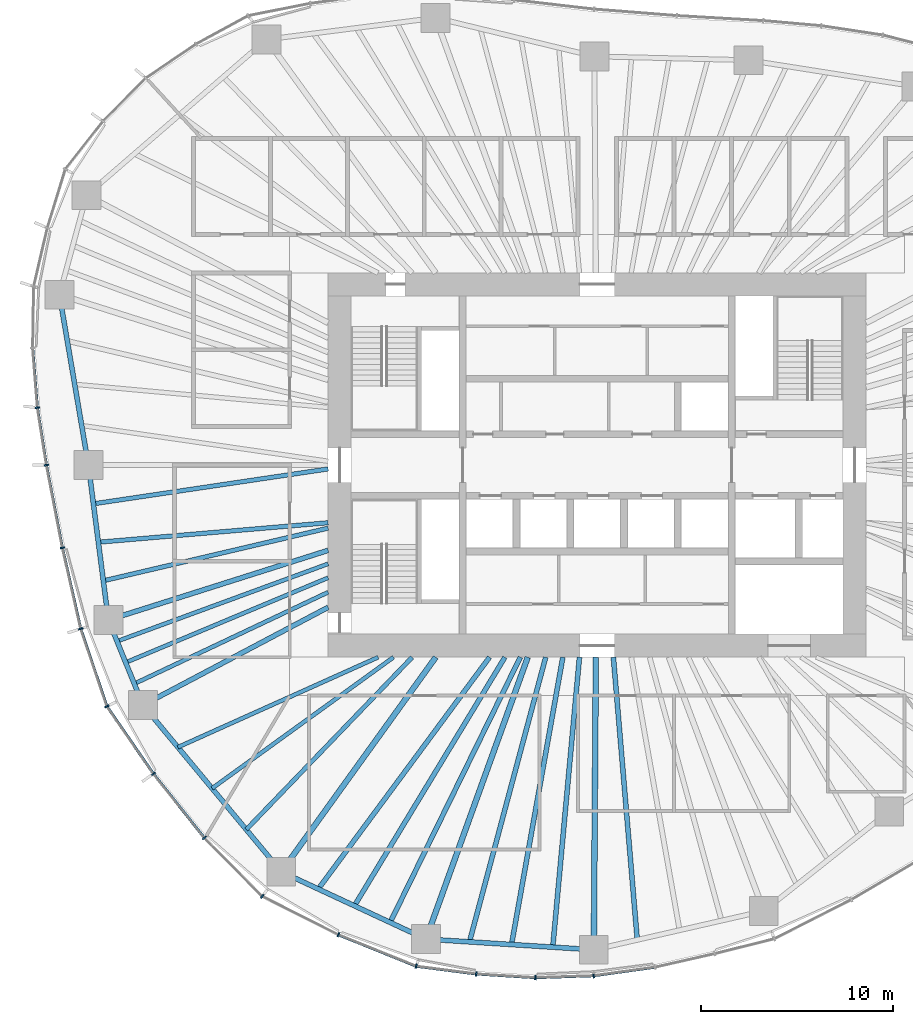
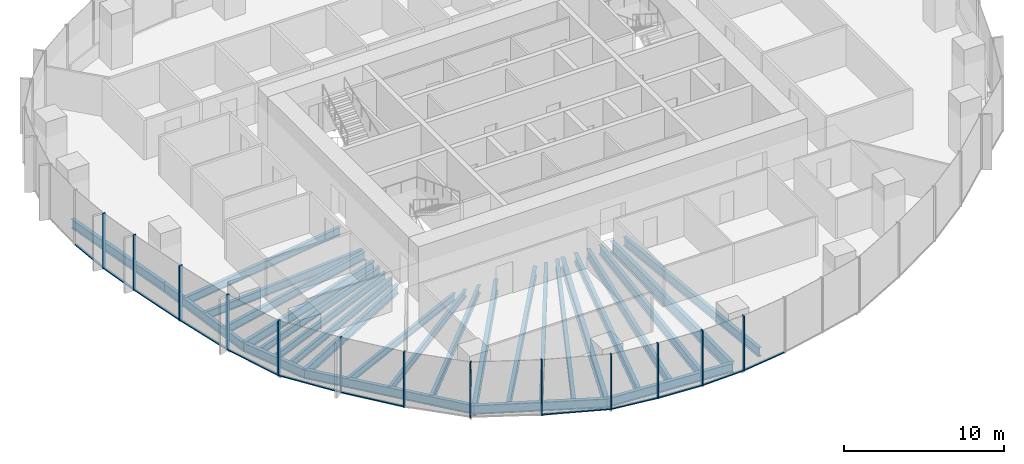
# One storey, part 2 of 18: 27 beams, 25 members, 7 elements without a shape of their own.
"""IFC4 building model written with IfcOpenShell, lengths in metres."""

from ifc_helpers import new_model, si_unit, direction, frame, origin, origin_2d, place, context, subcontext, project, spatial, rectangle, i_section, extrude, material, material_profile, profile_set, type_object, element, aggregate, save


model = new_model("IFC4")

# Units and contexts
model_context = context("Model", 3, precision=1e-05, world=origin(), true_north=direction((0.0, 1.0)))
body_context = subcontext(model_context, "Body", "Model", "MODEL_VIEW")
ifc_project = project(units=[si_unit("LENGTHUNIT", "METRE"), si_unit("AREAUNIT", "SQUARE_METRE"), si_unit("VOLUMEUNIT", "CUBIC_METRE"), si_unit("PLANEANGLEUNIT", "RADIAN"), si_unit("MASSUNIT", "GRAM", prefix="KILO")], contexts=[model_context])

# Site, building, storey
site_placement = place(None, origin())
site = spatial("IfcSite", under=ifc_project, at=site_placement, CompositionType="ELEMENT")
building_placement = place(site_placement, origin())
building = spatial("IfcBuilding", under=site, at=building_placement, Name="Ghaith Harvest Tower", CompositionType="ELEMENT")
storey_placement = place(building_placement, frame((0.0, 0.0, 138.60009765625)))
storey = spatial("IfcBuildingStorey", under=building, at=storey_placement, Name="L29", CompositionType="ELEMENT", Elevation=138.60009765625)

# Curtain wall, member
ifc_material_1 = material(Name="Black anodised aluminium and fritted glass", Category="aluminium")
curtain_wall_type = type_object("IfcCurtainWallType", Name="CW-L CURTAIN WALL", PredefinedType="NOTDEFINED", material=ifc_material_1)
curtain_wall_1_placement = place(storey_placement, origin())
curtain_wall_1 = element("IfcCurtainWall", 1, at=curtain_wall_1_placement, inside=storey, type_object=curtain_wall_type, Name="Curtain wall CW-L bay 10 L29", PredefinedType="NOTDEFINED")
ifc_material_2 = material(Name="Aluminium, black anodised", Category="aluminium")
ifc_material_profile_1 = material_profile(ifc_material_2, rectangle(XDim=0.080078125, YDim=0.239990234375, at=origin_2d()), Name="CW-L MULLION 80x240")
ifc_profile_set_1 = profile_set([ifc_material_profile_1], Name="Aluminium, black anodised")
member_type_1 = type_object("IfcMemberType", Name="CW-L MULLION 80x240", PredefinedType="MULLION", material=ifc_profile_set_1)
member_1_placement = place(storey_placement, frame((-29.131103515625, 2.990478515625, 0.0), z_axis=(0.0, 0.0, 1.0), x_axis=(0.116763791346, -0.993159713757, 0.0)))
member_1 = element("IfcMember", 2, at=member_1_placement, type_object=member_type_1, Name="CW-L mullion 3 bay 10 L29", PredefinedType="MULLION", context=body_context, shape_type="SweptSolid", body=[
    extrude(rectangle(XDim=0.080078125, YDim=0.239990234375, at=origin_2d()), origin(), (0.0, 0.0, 1.0), 4.199951171875),
])

# Curtain wall, members
curtain_wall_2_placement = place(storey_placement, origin())
curtain_wall_2 = element("IfcCurtainWall", 3, at=curtain_wall_2_placement, inside=storey, type_object=curtain_wall_type, Name="Curtain wall CW-L bay 11 L29", PredefinedType="NOTDEFINED")
member_2_placement = place(storey_placement, frame((-28.6611328125, 0.0, 0.0), z_axis=(0.0, 0.0, 1.0), x_axis=(0.175827209372, -0.984421044292, 0.0)))
member_2 = element("IfcMember", 4, at=member_2_placement, type_object=member_type_1, Name="CW-L mullion 1 bay 11 L29", PredefinedType="MULLION", context=body_context, shape_type="SweptSolid", body=[
    extrude(rectangle(XDim=0.080078125, YDim=0.239990234375, at=origin_2d()), origin(), (0.0, 0.0, 1.0), 4.199951171875),
])
member_3_placement = place(storey_placement, frame((-27.828125, -4.30419921875, 0.0), z_axis=(0.0, 0.0, 1.0), x_axis=(0.205176300018, -0.978725030798, 0.0)))
member_3 = element("IfcMember", 5, at=member_3_placement, type_object=member_type_1, Name="CW-L mullion 2 bay 11 L29", PredefinedType="MULLION", context=body_context, shape_type="SweptSolid", body=[
    extrude(rectangle(XDim=0.080078125, YDim=0.239990234375, at=origin_2d()), origin(), (0.0, 0.0, 1.0), 4.199951171875),
])

curtain_wall_3_placement = place(storey_placement, origin())
curtain_wall_3 = element("IfcCurtainWall", 6, at=curtain_wall_3_placement, inside=storey, type_object=curtain_wall_type, Name="Curtain wall CW-L bay 12 L29", PredefinedType="NOTDEFINED")
member_4_placement = place(storey_placement, frame((-26.875732421875, -8.517333984375, 0.0), z_axis=(0.0, 0.0, 1.0), x_axis=(0.270018818005, -0.962855045125, 0.0)))
member_4 = element("IfcMember", 7, at=member_4_placement, type_object=member_type_1, Name="CW-L mullion 1 bay 12 L29", PredefinedType="MULLION", context=body_context, shape_type="SweptSolid", body=[
    extrude(rectangle(XDim=0.080078125, YDim=0.239990234375, at=origin_2d()), origin(), (0.0, 0.0, 1.0), 4.199951171875),
])
member_5_placement = place(storey_placement, frame((-25.513427734375, -12.55810546875, 0.0), z_axis=(0.0, 0.0, 1.0), x_axis=(0.448267068681, -0.893899678452, 0.0)))
member_5 = element("IfcMember", 8, at=member_5_placement, type_object=member_type_1, Name="CW-L mullion 2 bay 12 L29", PredefinedType="MULLION", context=body_context, shape_type="SweptSolid", body=[
    extrude(rectangle(XDim=0.080078125, YDim=0.239990234375, at=origin_2d()), origin(), (0.0, 0.0, 1.0), 4.199951171875),
])

curtain_wall_4_placement = place(storey_placement, origin())
curtain_wall_4 = element("IfcCurtainWall", 9, at=curtain_wall_4_placement, inside=storey, type_object=curtain_wall_type, Name="Curtain wall CW-L bay 13 L29", PredefinedType="NOTDEFINED")
member_6_placement = place(storey_placement, frame((-23.090087890625, -16.066162109375, 0.0), z_axis=(0.0, 0.0, 1.0), x_axis=(0.595740202191, -0.803177198066, 0.0)))
member_6 = element("IfcMember", 10, at=member_6_placement, type_object=member_type_1, Name="CW-L mullion 1 bay 13 L29", PredefinedType="MULLION", context=body_context, shape_type="SweptSolid", body=[
    extrude(rectangle(XDim=0.080078125, YDim=0.239990234375, at=origin_2d()), origin(), (0.0, 0.0, 1.0), 4.199951171875),
])
member_7_placement = place(storey_placement, frame((-20.441162109375, -19.396728515625, 0.0), z_axis=(0.0, 0.0, 1.0), x_axis=(0.663764675537, -0.747941478666, 0.0)))
member_7 = element("IfcMember", 11, at=member_7_placement, type_object=member_type_1, Name="CW-L mullion 2 bay 13 L29", PredefinedType="MULLION", context=body_context, shape_type="SweptSolid", body=[
    extrude(rectangle(XDim=0.080078125, YDim=0.239990234375, at=origin_2d()), origin(), (0.0, 0.0, 1.0), 4.199951171875),
])

curtain_wall_5_placement = place(storey_placement, origin())
curtain_wall_5 = element("IfcCurtainWall", 12, at=curtain_wall_5_placement, inside=storey, type_object=curtain_wall_type, Name="Curtain wall CW-L bay 14 L29", PredefinedType="NOTDEFINED")
member_8_placement = place(storey_placement, frame((-17.430419921875, -22.443603515625, 0.0), z_axis=(0.0, 0.0, 1.0), x_axis=(0.810339399222, -0.585960799089, 0.0)))
member_8 = element("IfcMember", 13, at=member_8_placement, type_object=member_type_1, Name="CW-L mullion 1 bay 14 L29", PredefinedType="MULLION", context=body_context, shape_type="SweptSolid", body=[
    extrude(rectangle(XDim=0.080078125, YDim=0.239990234375, at=origin_2d()), origin(), (0.0, 0.0, 1.0), 4.199951171875),
])
member_9_placement = place(storey_placement, frame((-13.463134765625, -24.4423828125, 0.0), z_axis=(0.0, 0.0, 1.0), x_axis=(0.910648017946, -0.413182995066, 0.0)))
member_9 = element("IfcMember", 14, at=member_9_placement, type_object=member_type_1, Name="CW-L mullion 2 bay 14 L29", PredefinedType="MULLION", context=body_context, shape_type="SweptSolid", body=[
    extrude(rectangle(XDim=0.080078125, YDim=0.239990234375, at=origin_2d()), origin(), (0.0, 0.0, 1.0), 4.199951171875),
])

curtain_wall_6_placement = place(storey_placement, origin())
curtain_wall_6 = element("IfcCurtainWall", 15, at=curtain_wall_6_placement, inside=storey, type_object=curtain_wall_type, Name="Curtain wall CW-L bay 15 L29", PredefinedType="NOTDEFINED")
member_10_placement = place(storey_placement, frame((-9.4189453125, -26.07861328125, 0.0), z_axis=(0.0, 0.0, 1.0), x_axis=(0.961788606004, -0.273793128768, 0.0)))
member_10 = element("IfcMember", 16, at=member_10_placement, type_object=member_type_1, Name="CW-L mullion 1 bay 15 L29", PredefinedType="MULLION", context=body_context, shape_type="SweptSolid", body=[
    extrude(rectangle(XDim=0.080078125, YDim=0.239990234375, at=origin_2d()), origin(), (0.0, 0.0, 1.0), 4.199951171875),
])
member_11_placement = place(storey_placement, frame((-6.29443359375, -26.483154296875, 0.0), z_axis=(0.0, 0.0, 1.0), x_axis=(0.995389243171, -0.095917957546, 0.0)))
member_11 = element("IfcMember", 17, at=member_11_placement, type_object=member_type_1, Name="CW-L mullion 2 bay 15 L29", PredefinedType="MULLION", context=body_context, shape_type="SweptSolid", body=[
    extrude(rectangle(XDim=0.080078125, YDim=0.239990234375, at=origin_2d()), origin(), (0.0, 0.0, 1.0), 4.199951171875),
])
member_12_placement = place(storey_placement, frame((-3.21923828125, -26.676025390625, 0.0), z_axis=(0.0, 0.0, 1.0), x_axis=(0.999890531495, -0.014796115241, 0.0)))
member_12 = element("IfcMember", 18, at=member_12_placement, type_object=member_type_1, Name="CW-L mullion 3 bay 15 L29", PredefinedType="MULLION", context=body_context, shape_type="SweptSolid", body=[
    extrude(rectangle(XDim=0.080078125, YDim=0.239990234375, at=origin_2d()), origin(), (0.0, 0.0, 1.0), 4.199951171875),
])

# Curtain wall, member
curtain_wall_7_placement = place(storey_placement, origin())
curtain_wall_7 = element("IfcCurtainWall", 19, at=curtain_wall_7_placement, inside=storey, type_object=curtain_wall_type, Name="Curtain wall CW-L bay 16 L29", PredefinedType="NOTDEFINED")
member_13_placement = place(storey_placement, frame((-0.181884765625, -26.57373046875, 0.0), z_axis=(0.0, 0.0, 1.0), x_axis=(0.996169227662, 0.087446382772, 0.0)))
member_13 = element("IfcMember", 20, at=member_13_placement, type_object=member_type_1, Name="CW-L mullion 1 bay 16 L29", PredefinedType="MULLION", context=body_context, shape_type="SweptSolid", body=[
    extrude(rectangle(XDim=0.080078125, YDim=0.239990234375, at=origin_2d()), origin(), (0.0, 0.0, 1.0), 4.199951171875),
])

# Member
ifc_material_3 = material(Name="Aluminium, black anodised", Category="aluminium")
ifc_material_profile_2 = material_profile(ifc_material_3, rectangle(XDim=0.14990234375, YDim=0.080078125, at=origin_2d()), Name="CW-L TRANSOM 150x80")
ifc_profile_set_2 = profile_set([ifc_material_profile_2], Name="Aluminium, black anodised")
member_type_2 = type_object("IfcMemberType", Name="CW-L TRANSOM 150x80", PredefinedType="USERDEFINED", material=ifc_profile_set_2)
member_14_placement = place(storey_placement, frame((-29.374755859375, 6.05615234375, 0.039794921875), z_axis=(0.079230491279, -0.996856323274, 0.0), x_axis=(0.996856323274, 0.079230491279, 0.0)))
member_14 = element("IfcMember", 21, at=member_14_placement, type_object=member_type_2, Name="CW-L transom 2 bay 10 L29", ObjectType="TRANSOM", PredefinedType="USERDEFINED", context=body_context, shape_type="SweptSolid", body=[
    extrude(rectangle(XDim=0.14990234375, YDim=0.080078125, at=origin_2d()), origin(), (0.0, 0.0, 1.0), 3.03515625),
])

member_15_placement = place(storey_placement, frame((-29.124755859375, 2.951171875, 0.039794921875), z_axis=(0.155150065502, -0.987890913601, 0.0), x_axis=(0.987890913601, 0.155150065502, 0.0)))
member_15 = element("IfcMember", 22, at=member_15_placement, type_object=member_type_2, Name="CW-L transom 3 bay 10 L29", ObjectType="TRANSOM", PredefinedType="USERDEFINED", context=body_context, shape_type="SweptSolid", body=[
    extrude(rectangle(XDim=0.14990234375, YDim=0.080078125, at=origin_2d()), origin(), (0.0, 0.0, 1.0), 2.947265625),
])

aggregate(curtain_wall_1, [member_14, member_1, member_15])

member_16_placement = place(storey_placement, frame((-28.653564453125, -0.039306640625, 0.039794921875), z_axis=(0.190025434036, -0.981779167848, 0.0), x_axis=(0.981779167848, 0.190025434036, 0.0)))
member_16 = element("IfcMember", 23, at=member_16_placement, type_object=member_type_2, Name="CW-L transom 1 bay 11 L29", ObjectType="TRANSOM", PredefinedType="USERDEFINED", context=body_context, shape_type="SweptSolid", body=[
    extrude(rectangle(XDim=0.14990234375, YDim=0.080078125, at=origin_2d()), origin(), (0.0, 0.0, 1.0), 4.303955078125),
])

member_17_placement = place(storey_placement, frame((-27.8193359375, -4.34326171875, 0.039794921875), z_axis=(0.220508326041, -0.975385092231, 0.0), x_axis=(0.975385092231, 0.220508326041, 0.0)))
member_17 = element("IfcMember", 24, at=member_17_placement, type_object=member_type_2, Name="CW-L transom 2 bay 11 L29", ObjectType="TRANSOM", PredefinedType="USERDEFINED", context=body_context, shape_type="SweptSolid", body=[
    extrude(rectangle(XDim=0.14990234375, YDim=0.080078125, at=origin_2d()), origin(), (0.0, 0.0, 1.0), 4.2392578125),
])

aggregate(curtain_wall_2, [member_2, member_16, member_3, member_17])

member_18_placement = place(storey_placement, frame((-26.863037109375, -8.55517578125, 0.039794921875), z_axis=(0.319499057133, -0.947586593664, 0.0), x_axis=(0.947586593664, 0.319499057133, 0.0)))
member_18 = element("IfcMember", 25, at=member_18_placement, type_object=member_type_2, Name="CW-L transom 1 bay 12 L29", ObjectType="TRANSOM", PredefinedType="USERDEFINED", context=body_context, shape_type="SweptSolid", body=[
    extrude(rectangle(XDim=0.14990234375, YDim=0.080078125, at=origin_2d()), origin(), (0.0, 0.0, 1.0), 4.184326171875),
])

member_19_placement = place(storey_placement, frame((-25.49072265625, -12.591064453125, 0.039794921875), z_axis=(0.568360052499, -0.822779952796, 0.0), x_axis=(0.822779952796, 0.568360052499, 0.0)))
member_19 = element("IfcMember", 26, at=member_19_placement, type_object=member_type_2, Name="CW-L transom 2 bay 12 L29", ObjectType="TRANSOM", PredefinedType="USERDEFINED", context=body_context, shape_type="SweptSolid", body=[
    extrude(rectangle(XDim=0.14990234375, YDim=0.080078125, at=origin_2d()), origin(), (0.0, 0.0, 1.0), 4.183837890625),
])

aggregate(curtain_wall_3, [member_4, member_18, member_5, member_19])

member_20_placement = place(storey_placement, frame((-23.065185546875, -16.09765625, 0.039794921875), z_axis=(0.622510542814, -0.782611413209, 0.0), x_axis=(0.782611413209, 0.622510542814, 0.0)))
member_20 = element("IfcMember", 27, at=member_20_placement, type_object=member_type_2, Name="CW-L transom 1 bay 13 L29", ObjectType="TRANSOM", PredefinedType="USERDEFINED", context=body_context, shape_type="SweptSolid", body=[
    extrude(rectangle(XDim=0.14990234375, YDim=0.080078125, at=origin_2d()), origin(), (0.0, 0.0, 1.0), 4.17529296875),
])

aggregate(curtain_wall_4, [member_6, member_20, member_7])

member_21_placement = place(storey_placement, frame((-13.426025390625, -24.45751953125, 0.039794921875), z_axis=(0.92700297754, -0.375053968959, 0.0), x_axis=(0.375053968959, 0.92700297754, 0.0)))
member_21 = element("IfcMember", 28, at=member_21_placement, type_object=member_type_2, Name="CW-L transom 2 bay 14 L29", ObjectType="TRANSOM", PredefinedType="USERDEFINED", context=body_context, shape_type="SweptSolid", body=[
    extrude(rectangle(XDim=0.14990234375, YDim=0.080078125, at=origin_2d()), origin(), (0.0, 0.0, 1.0), 4.282470703125),
])

aggregate(curtain_wall_5, [member_8, member_9, member_21])

member_22_placement = place(storey_placement, frame((-9.37939453125, -26.083740234375, 0.039794921875), z_axis=(0.991722765635, -0.128397648429, 0.0), x_axis=(0.128397648429, 0.991722765635, 0.0)))
member_22 = element("IfcMember", 29, at=member_22_placement, type_object=member_type_2, Name="CW-L transom 1 bay 15 L29", ObjectType="TRANSOM", PredefinedType="USERDEFINED", context=body_context, shape_type="SweptSolid", body=[
    extrude(rectangle(XDim=0.14990234375, YDim=0.080078125, at=origin_2d()), origin(), (0.0, 0.0, 1.0), 3.07080078125),
])

member_23_placement = place(storey_placement, frame((-6.25439453125, -26.485595703125, 0.039794921875), z_axis=(0.998036402434, -0.062636566132, 0.0), x_axis=(0.062636566132, 0.998036402434, 0.0)))
member_23 = element("IfcMember", 30, at=member_23_placement, type_object=member_type_2, Name="CW-L transom 2 bay 15 L29", ObjectType="TRANSOM", PredefinedType="USERDEFINED", context=body_context, shape_type="SweptSolid", body=[
    extrude(rectangle(XDim=0.14990234375, YDim=0.080078125, at=origin_2d()), origin(), (0.0, 0.0, 1.0), 3.001220703125),
])

member_24_placement = place(storey_placement, frame((-3.17919921875, -26.6748046875, 0.039794921875), z_axis=(0.999430436664, 0.033746144522, 0.0), x_axis=(-0.033746144522, 0.999430436664, 0.0)))
member_24 = element("IfcMember", 31, at=member_24_placement, type_object=member_type_2, Name="CW-L transom 3 bay 15 L29", ObjectType="TRANSOM", PredefinedType="USERDEFINED", context=body_context, shape_type="SweptSolid", body=[
    extrude(rectangle(XDim=0.14990234375, YDim=0.080078125, at=origin_2d()), origin(), (0.0, 0.0, 1.0), 2.958984375),
])

aggregate(curtain_wall_6, [member_10, member_22, member_11, member_23, member_12, member_24])

member_25_placement = place(storey_placement, frame((-0.142333984375, -26.568115234375, 0.039794921875), z_axis=(0.990446640965, 0.137896524254, 0.0), x_axis=(-0.137896524254, 0.990446640965, 0.0)))
member_25 = element("IfcMember", 32, at=member_25_placement, type_object=member_type_2, Name="CW-L transom 1 bay 16 L29", ObjectType="TRANSOM", PredefinedType="USERDEFINED", context=body_context, shape_type="SweptSolid", body=[
    extrude(rectangle(XDim=0.14990234375, YDim=0.080078125, at=origin_2d()), origin(), (0.0, 0.0, 1.0), 3.142578125),
])

aggregate(curtain_wall_7, [member_13, member_25])

# Beams
ifc_material_4 = material(Name="Steel ASTM A992 Grade 50", Category="steel")
ifc_material_profile_3 = material_profile(ifc_material_4, i_section(OverallWidth=0.25390625, OverallDepth=0.68408203125, WebThickness=0.012451171875, FlangeThickness=0.018798828125, at=origin_2d()), Name="W690X140")
ifc_profile_set_3 = profile_set([ifc_material_profile_3], Name="Steel ASTM A992 Grade 50")
beam_type_1 = type_object("IfcBeamType", Name="E690-140 W690X140", PredefinedType="SPANDREL", material=ifc_profile_set_3)
beam_1_placement = place(storey_placement, frame((-27.98291015625, 8.867919921875, -0.51220703125), z_axis=(0.167624246844, -0.985850958244, 0.0), x_axis=(0.985850958244, 0.167624246844, 0.0)))
element("IfcBeam", 33, at=beam_1_placement, inside=storey, type_object=beam_type_1, Name="Edge beam E10 L29", PredefinedType="SPANDREL", context=body_context, shape_type="SweptSolid", body=[
    extrude(i_section(OverallWidth=0.25390625, OverallDepth=0.68408203125, WebThickness=0.012451171875, FlangeThickness=0.018798828125, at=origin_2d()), origin(), (0.0, 0.0, 1.0), 8.9951171875),
])
beam_2_placement = place(storey_placement, frame((-26.47509765625, 0.0, -0.51220703125), z_axis=(0.127841715048, -0.991794583517, 0.0), x_axis=(0.991794583517, 0.127841715048, 0.0)))
element("IfcBeam", 34, at=beam_2_placement, inside=storey, type_object=beam_type_1, Name="Edge beam E11 L29", PredefinedType="SPANDREL", context=body_context, shape_type="SweptSolid", body=[
    extrude(i_section(OverallWidth=0.25390625, OverallDepth=0.68408203125, WebThickness=0.012451171875, FlangeThickness=0.018798828125, at=origin_2d()), origin(), (0.0, 0.0, 1.0), 8.127685546875),
])
beam_3_placement = place(storey_placement, frame((-25.43603515625, -8.06103515625, -0.51220703125), z_axis=(0.376479712052, -0.9264248628, 0.0), x_axis=(0.9264248628, 0.376479712052, 0.0)))
element("IfcBeam", 35, at=beam_3_placement, inside=storey, type_object=beam_type_1, Name="Edge beam E12 L29", PredefinedType="SPANDREL", context=body_context, shape_type="SweptSolid", body=[
    extrude(i_section(OverallWidth=0.25390625, OverallDepth=0.68408203125, WebThickness=0.012451171875, FlangeThickness=0.018798828125, at=origin_2d()), origin(), (0.0, 0.0, 1.0), 4.783935546875),
])
beam_4_placement = place(storey_placement, frame((-23.635009765625, -12.492919921875, -0.51220703125), z_axis=(0.638719320052, -0.769439815835, 0.0), x_axis=(0.769439815835, 0.638719320052, 0.0)))
element("IfcBeam", 36, at=beam_4_placement, inside=storey, type_object=beam_type_1, Name="Edge beam E13 L29", PredefinedType="SPANDREL", context=body_context, shape_type="SweptSolid", body=[
    extrude(i_section(OverallWidth=0.25390625, OverallDepth=0.68408203125, WebThickness=0.012451171875, FlangeThickness=0.018798828125, at=origin_2d()), origin(), (0.0, 0.0, 1.0), 11.26953125),
])
beam_5_placement = place(storey_placement, frame((-16.43701171875, -21.1640625, -0.51220703125), z_axis=(0.906607079462, -0.421975832802, 0.0), x_axis=(0.421975832802, 0.906607079462, 0.0)))
element("IfcBeam", 37, at=beam_5_placement, inside=storey, type_object=beam_type_1, Name="Edge beam E14 L29", PredefinedType="SPANDREL", context=body_context, shape_type="SweptSolid", body=[
    extrude(i_section(OverallWidth=0.25390625, OverallDepth=0.68408203125, WebThickness=0.012451171875, FlangeThickness=0.018798828125, at=origin_2d()), origin(), (0.0, 0.0, 1.0), 8.303466796875),
])
beam_6_placement = place(storey_placement, frame((-8.908935546875, -24.66796875, -0.51220703125), z_axis=(0.99797963184, -0.063534671101, 0.0), x_axis=(0.063534671101, 0.99797963184, 0.0)))
element("IfcBeam", 38, at=beam_6_placement, inside=storey, type_object=beam_type_1, Name="Edge beam E15 L29", PredefinedType="SPANDREL", context=body_context, shape_type="SweptSolid", body=[
    extrude(i_section(OverallWidth=0.25390625, OverallDepth=0.68408203125, WebThickness=0.012451171875, FlangeThickness=0.018798828125, at=origin_2d()), origin(), (0.0, 0.0, 1.0), 8.75341796875),
])
ifc_material_5 = material(Name="Steel ASTM A992 Grade 50", Category="steel")
ifc_material_profile_4 = material_profile(ifc_material_5, i_section(OverallWidth=0.256103515625, OverallDepth=0.693115234375, WebThickness=0.014404296875, FlangeThickness=0.023681640625, at=origin_2d()), Name="W690X170")
ifc_profile_set_4 = profile_set([ifc_material_profile_4], Name="Steel ASTM A992 Grade 50")
beam_type_2 = type_object("IfcBeamType", Name="G690-170 W690X170", PredefinedType="BEAM", material=ifc_profile_set_4)
beam_7_placement = place(storey_placement, frame((-14.0, -4.43701171875, -0.5166015625), z_axis=(-0.953279533519, -0.302089607522, 0.0), x_axis=(0.302089607522, -0.953279533519, 0.0)))
element("IfcBeam", 39, at=beam_7_placement, inside=storey, type_object=beam_type_2, Name="Radial girder G12 L29", PredefinedType="BEAM", context=body_context, shape_type="SweptSolid", body=[
    extrude(i_section(OverallWidth=0.256103515625, OverallDepth=0.693115234375, WebThickness=0.014404296875, FlangeThickness=0.023681640625, at=origin_2d()), origin(), (0.0, 0.0, 1.0), 11.99658203125),
])
beam_8_placement = place(storey_placement, frame((-14.0, -7.39990234375, -0.5166015625), z_axis=(-0.884086346066, -0.467323584576, 0.0), x_axis=(0.467323584576, -0.884086346066, 0.0)))
element("IfcBeam", 40, at=beam_8_placement, inside=storey, type_object=beam_type_2, Name="Radial girder G13 L29", PredefinedType="BEAM", context=body_context, shape_type="SweptSolid", body=[
    extrude(i_section(OverallWidth=0.256103515625, OverallDepth=0.693115234375, WebThickness=0.014404296875, FlangeThickness=0.023681640625, at=origin_2d()), origin(), (0.0, 0.0, 1.0), 10.898193359375),
])
ifc_material_6 = material(Name="Steel ASTM A992 Grade 50", Category="steel")
ifc_material_profile_5 = material_profile(ifc_material_6, i_section(OverallWidth=0.2939453125, OverallDepth=0.85107421875, WebThickness=0.01611328125, FlangeThickness=0.02685546875, at=origin_2d()), Name="W840X226")
ifc_profile_set_5 = profile_set([ifc_material_profile_5], Name="Steel ASTM A992 Grade 50")
beam_type_3 = type_object("IfcBeamType", Name="G840-226 W840X226", PredefinedType="BEAM", material=ifc_profile_set_5)
beam_9_placement = place(storey_placement, frame((-8.39990234375, -10.0, -0.595703125), z_axis=(-0.584256100809, -0.811569349265, 0.0), x_axis=(0.811569349265, -0.584256100809, 0.0)))
element("IfcBeam", 41, at=beam_9_placement, inside=storey, type_object=beam_type_3, Name="Radial girder G14 L29", PredefinedType="BEAM", context=body_context, shape_type="SweptSolid", body=[
    extrude(i_section(OverallWidth=0.2939453125, OverallDepth=0.85107421875, WebThickness=0.01611328125, FlangeThickness=0.02685546875, at=origin_2d()), origin(), (0.0, 0.0, 1.0), 13.756103515625),
])
beam_10_placement = place(storey_placement, frame((-3.61181640625, -10.0, -0.595703125), z_axis=(-0.339664467784, -0.940546675782, 0.0), x_axis=(0.940546675782, -0.339664467784, 0.0)))
element("IfcBeam", 42, at=beam_10_placement, inside=storey, type_object=beam_type_3, Name="Radial girder G15 L29", PredefinedType="BEAM", context=body_context, shape_type="SweptSolid", body=[
    extrude(i_section(OverallWidth=0.2939453125, OverallDepth=0.85107421875, WebThickness=0.01611328125, FlangeThickness=0.02685546875, at=origin_2d()), origin(), (0.0, 0.0, 1.0), 15.59521484375),
])
beam_11_placement = place(storey_placement, frame((-0.068359375, -10.0, -0.595703125), z_axis=(-0.006879467722, -0.999976336182, 0.0), x_axis=(0.999976336182, -0.006879467722, 0.0)))
element("IfcBeam", 43, at=beam_11_placement, inside=storey, type_object=beam_type_3, Name="Radial girder G16 L29", PredefinedType="BEAM", context=body_context, shape_type="SweptSolid", body=[
    extrude(i_section(OverallWidth=0.2939453125, OverallDepth=0.85107421875, WebThickness=0.01611328125, FlangeThickness=0.02685546875, at=origin_2d()), origin(), (0.0, 0.0, 1.0), 15.224365234375),
])
ifc_material_7 = material(Name="Steel ASTM A992 Grade 50", Category="steel")
ifc_material_profile_6 = material_profile(ifc_material_7, i_section(OverallWidth=0.2109375, OverallDepth=0.5390625, WebThickness=0.01171875, FlangeThickness=0.018798828125, at=origin_2d()), Name="W530X109")
ifc_profile_set_6 = profile_set([ifc_material_profile_6], Name="Steel ASTM A992 Grade 50")
beam_type_4 = type_object("IfcBeamType", Name="J530-109 W530X109", PredefinedType="JOIST", material=ifc_profile_set_6)
beam_12_placement = place(storey_placement, frame((-14.0, -5.137939453125, -0.439697265625), z_axis=(-0.938774452531, -0.344532331247, 0.0), x_axis=(0.344532331247, -0.938774452531, 0.0)))
element("IfcBeam", 44, at=beam_12_placement, inside=storey, type_object=beam_type_4, Name="Joist J12.1 L29", PredefinedType="JOIST", context=body_context, shape_type="SweptSolid", body=[
    extrude(i_section(OverallWidth=0.2109375, OverallDepth=0.5390625, WebThickness=0.01171875, FlangeThickness=0.018798828125, at=origin_2d()), origin(), (0.0, 0.0, 1.0), 11.7021484375),
])
beam_13_placement = place(storey_placement, frame((-14.0, -5.862548828125, -0.439697265625), z_axis=(-0.922385564947, -0.386270461693, 0.0), x_axis=(0.386270461693, -0.922385564947, 0.0)))
element("IfcBeam", 45, at=beam_13_placement, inside=storey, type_object=beam_type_4, Name="Joist J12.2 L29", PredefinedType="JOIST", context=body_context, shape_type="SweptSolid", body=[
    extrude(i_section(OverallWidth=0.2109375, OverallDepth=0.5390625, WebThickness=0.01171875, FlangeThickness=0.018798828125, at=origin_2d()), origin(), (0.0, 0.0, 1.0), 11.4228515625),
])
beam_14_placement = place(storey_placement, frame((-14.0, -6.614990234375, -0.439697265625), z_axis=(-0.904150042111, -0.427215052815, 0.0), x_axis=(0.427215052815, -0.904150042111, 0.0)))
element("IfcBeam", 46, at=beam_14_placement, inside=storey, type_object=beam_type_4, Name="Joist J12.3 L29", PredefinedType="JOIST", context=body_context, shape_type="SweptSolid", body=[
    extrude(i_section(OverallWidth=0.2109375, OverallDepth=0.5390625, WebThickness=0.01171875, FlangeThickness=0.018798828125, at=origin_2d()), origin(), (0.0, 0.0, 1.0), 11.15625),
])
beam_15_placement = place(storey_placement, frame((-11.39990234375, -10.0, -0.439697265625), z_axis=(-0.912147734774, -0.409861574127, 0.0), x_axis=(0.409861574127, -0.912147734774, 0.0)))
element("IfcBeam", 47, at=beam_15_placement, inside=storey, type_object=beam_type_4, Name="Joist J13.1 L29", PredefinedType="JOIST", context=body_context, shape_type="SweptSolid", body=[
    extrude(i_section(OverallWidth=0.2109375, OverallDepth=0.5390625, WebThickness=0.01171875, FlangeThickness=0.018798828125, at=origin_2d()), origin(), (0.0, 0.0, 1.0), 11.421875),
])
beam_16_placement = place(storey_placement, frame((-10.60009765625, -10.0, -0.439697265625), z_axis=(-0.810452010932, -0.5858050341, 0.0), x_axis=(0.5858050341, -0.810452010932, 0.0)))
element("IfcBeam", 48, at=beam_16_placement, inside=storey, type_object=beam_type_4, Name="Joist J13.2 L29", PredefinedType="JOIST", context=body_context, shape_type="SweptSolid", body=[
    extrude(i_section(OverallWidth=0.2109375, OverallDepth=0.5390625, WebThickness=0.01171875, FlangeThickness=0.018798828125, at=origin_2d()), origin(), (0.0, 0.0, 1.0), 11.64794921875),
])
ifc_material_8 = material(Name="Steel ASTM A992 Grade 50", Category="steel")
ifc_material_profile_7 = material_profile(ifc_material_8, i_section(OverallWidth=0.22900390625, OverallDepth=0.612060546875, WebThickness=0.011962890625, FlangeThickness=0.01953125, at=origin_2d()), Name="W610X125")
ifc_profile_set_7 = profile_set([ifc_material_profile_7], Name="Steel ASTM A992 Grade 50")
beam_type_5 = type_object("IfcBeamType", Name="J610-125 W610X125", PredefinedType="JOIST", material=ifc_profile_set_7)
beam_17_placement = place(storey_placement, frame((-14.0, -0.199951171875, -0.47607421875), z_axis=(-0.989135422742, -0.147007195321, 0.0), x_axis=(0.147007195321, -0.989135422742, 0.0)))
element("IfcBeam", 49, at=beam_17_placement, inside=storey, type_object=beam_type_5, Name="Joist J11.1 L29", PredefinedType="JOIST", context=body_context, shape_type="SweptSolid", body=[
    extrude(i_section(OverallWidth=0.22900390625, OverallDepth=0.612060546875, WebThickness=0.011962890625, FlangeThickness=0.01953125, at=origin_2d()), origin(), (0.0, 0.0, 1.0), 12.349365234375),
])
beam_18_placement = place(storey_placement, frame((-14.0, -3.0, -0.47607421875), z_axis=(-0.996417474722, -0.0845707755, 0.0), x_axis=(0.0845707755, -0.996417474722, 0.0)))
element("IfcBeam", 50, at=beam_18_placement, inside=storey, type_object=beam_type_5, Name="Joist J11.2 L29", PredefinedType="JOIST", context=body_context, shape_type="SweptSolid", body=[
    extrude(i_section(OverallWidth=0.22900390625, OverallDepth=0.612060546875, WebThickness=0.011962890625, FlangeThickness=0.01953125, at=origin_2d()), origin(), (0.0, 0.0, 1.0), 12.00048828125),
])
beam_19_placement = place(storey_placement, frame((-14.0, -3.280517578125, -0.47607421875), z_axis=(-0.973624350862, -0.228157014813, 0.0), x_axis=(0.228157014813, -0.973624350862, 0.0)))
element("IfcBeam", 51, at=beam_19_placement, inside=storey, type_object=beam_type_5, Name="Joist J11.3 L29", PredefinedType="JOIST", context=body_context, shape_type="SweptSolid", body=[
    extrude(i_section(OverallWidth=0.22900390625, OverallDepth=0.612060546875, WebThickness=0.011962890625, FlangeThickness=0.01953125, at=origin_2d()), origin(), (0.0, 0.0, 1.0), 12.015625),
])
beam_20_placement = place(storey_placement, frame((-9.626708984375, -10.0, -0.47607421875), z_axis=(-0.693534641621, -0.720423278963, 0.0), x_axis=(0.720423278963, -0.693534641621, 0.0)))
element("IfcBeam", 52, at=beam_20_placement, inside=storey, type_object=beam_type_5, Name="Joist J13.3 L29", PredefinedType="JOIST", context=body_context, shape_type="SweptSolid", body=[
    extrude(i_section(OverallWidth=0.22900390625, OverallDepth=0.612060546875, WebThickness=0.011962890625, FlangeThickness=0.01953125, at=origin_2d()), origin(), (0.0, 0.0, 1.0), 12.4482421875),
])
ifc_material_9 = material(Name="Steel ASTM A992 Grade 50", Category="steel")
ifc_material_profile_8 = material_profile(ifc_material_9, i_section(OverallWidth=0.25390625, OverallDepth=0.68408203125, WebThickness=0.012451171875, FlangeThickness=0.018798828125, at=origin_2d()), Name="W690X140")
ifc_profile_set_8 = profile_set([ifc_material_profile_8], Name="Steel ASTM A992 Grade 50")
beam_type_6 = type_object("IfcBeamType", Name="J690-140 W690X140", PredefinedType="JOIST", material=ifc_profile_set_8)
beam_21_placement = place(storey_placement, frame((-5.60009765625, -10.0, -0.51220703125), z_axis=(-0.59434024765, -0.804213696739, 0.0), x_axis=(0.804213696739, -0.59434024765, 0.0)))
element("IfcBeam", 53, at=beam_21_placement, inside=storey, type_object=beam_type_6, Name="Joist J14.1 L29", PredefinedType="JOIST", context=body_context, shape_type="SweptSolid", body=[
    extrude(i_section(OverallWidth=0.25390625, OverallDepth=0.68408203125, WebThickness=0.012451171875, FlangeThickness=0.018798828125, at=origin_2d()), origin(), (0.0, 0.0, 1.0), 14.995849609375),
])
beam_22_placement = place(storey_placement, frame((-4.800048828125, -10.0, -0.51220703125), z_axis=(-0.517986442874, -0.855388826791, 0.0), x_axis=(0.855388826791, -0.517986442874, 0.0)))
element("IfcBeam", 54, at=beam_22_placement, inside=storey, type_object=beam_type_6, Name="Joist J14.2 L29", PredefinedType="JOIST", context=body_context, shape_type="SweptSolid", body=[
    extrude(i_section(OverallWidth=0.25390625, OverallDepth=0.68408203125, WebThickness=0.012451171875, FlangeThickness=0.018798828125, at=origin_2d()), origin(), (0.0, 0.0, 1.0), 15.12158203125),
])
beam_23_placement = place(storey_placement, frame((-4.0, -10.0, -0.51220703125), z_axis=(-0.440562898219, -0.897721745706, 0.0), x_axis=(0.897721745706, -0.440562898219, 0.0)))
element("IfcBeam", 55, at=beam_23_placement, inside=storey, type_object=beam_type_6, Name="Joist J14.3 L29", PredefinedType="JOIST", context=body_context, shape_type="SweptSolid", body=[
    extrude(i_section(OverallWidth=0.25390625, OverallDepth=0.68408203125, WebThickness=0.012451171875, FlangeThickness=0.018798828125, at=origin_2d()), origin(), (0.0, 0.0, 1.0), 15.372802734375),
])
beam_24_placement = place(storey_placement, frame((-2.677978515625, -10.0, -0.51220703125), z_axis=(-0.258693109612, -0.965959561803, 0.0), x_axis=(0.965959561803, -0.258693109612, 0.0)))
element("IfcBeam", 56, at=beam_24_placement, inside=storey, type_object=beam_type_6, Name="Joist J15.1 L29", PredefinedType="JOIST", context=body_context, shape_type="SweptSolid", body=[
    extrude(i_section(OverallWidth=0.25390625, OverallDepth=0.68408203125, WebThickness=0.012451171875, FlangeThickness=0.018798828125, at=origin_2d()), origin(), (0.0, 0.0, 1.0), 15.333984375),
])
beam_25_placement = place(storey_placement, frame((-1.785888671875, -10.0, -0.51220703125), z_axis=(-0.175792307544, -0.984427277461, 0.0), x_axis=(0.984427277461, -0.175792307544, 0.0)))
element("IfcBeam", 57, at=beam_25_placement, inside=storey, type_object=beam_type_6, Name="Joist J15.2 L29", PredefinedType="JOIST", context=body_context, shape_type="SweptSolid", body=[
    extrude(i_section(OverallWidth=0.25390625, OverallDepth=0.68408203125, WebThickness=0.012451171875, FlangeThickness=0.018798828125, at=origin_2d()), origin(), (0.0, 0.0, 1.0), 15.18798828125),
])
beam_26_placement = place(storey_placement, frame((-0.92041015625, -10.0, -0.51220703125), z_axis=(-0.091651457116, -0.995791147987, 0.0), x_axis=(0.995791147987, -0.091651457116, 0.0)))
element("IfcBeam", 58, at=beam_26_placement, inside=storey, type_object=beam_type_6, Name="Joist J15.3 L29", PredefinedType="JOIST", context=body_context, shape_type="SweptSolid", body=[
    extrude(i_section(OverallWidth=0.25390625, OverallDepth=0.68408203125, WebThickness=0.012451171875, FlangeThickness=0.018798828125, at=origin_2d()), origin(), (0.0, 0.0, 1.0), 15.151611328125),
])
beam_27_placement = place(storey_placement, frame((0.844970703125, -10.0, -0.51220703125), z_axis=(0.084208979751, -0.996448115924, 0.0), x_axis=(0.996448115924, 0.084208979751, 0.0)))
element("IfcBeam", 59, at=beam_27_placement, inside=storey, type_object=beam_type_6, Name="Joist J16.1 L29", PredefinedType="JOIST", context=body_context, shape_type="SweptSolid", body=[
    extrude(i_section(OverallWidth=0.25390625, OverallDepth=0.68408203125, WebThickness=0.012451171875, FlangeThickness=0.018798828125, at=origin_2d()), origin(), (0.0, 0.0, 1.0), 14.760009765625),
])

save(model, "model.ifc")
